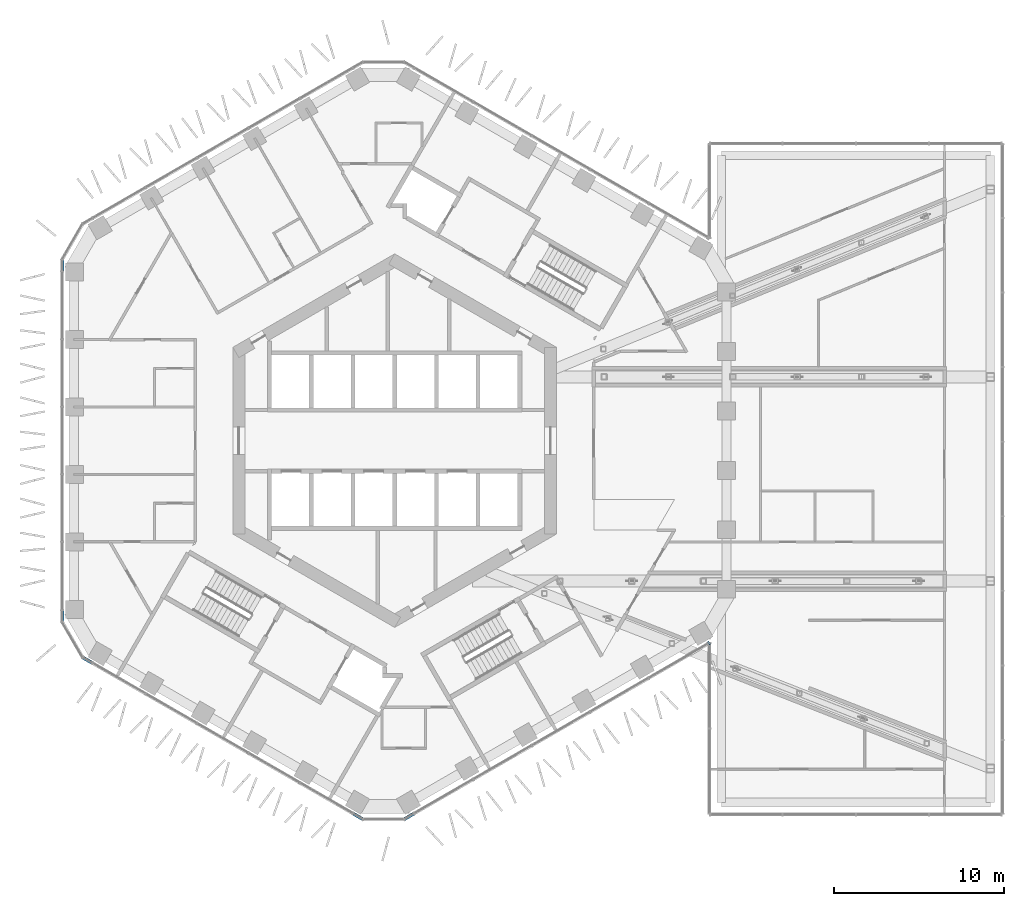
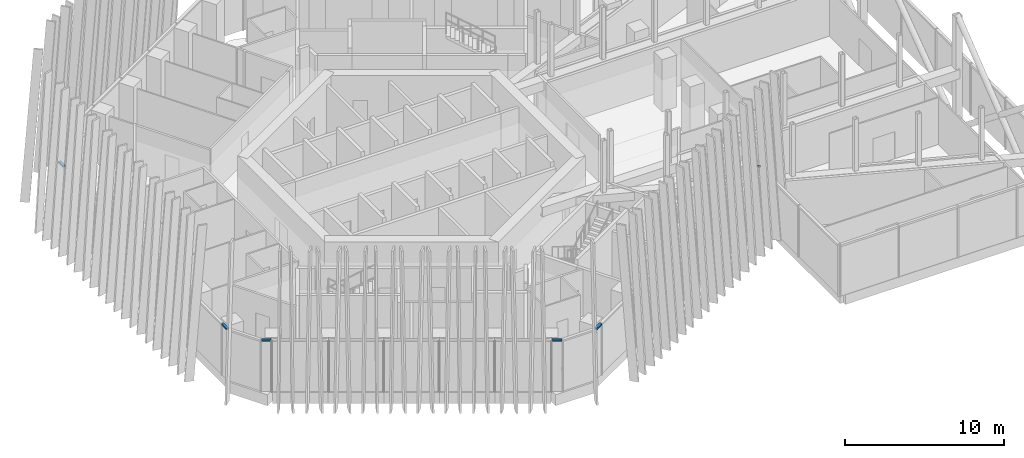
# One storey, part 11 of 28: 6 members, 4 elements without a shape of their own.
"""IFC4 building model written with IfcOpenShell, lengths in metres."""

from ifc_helpers import new_model, si_unit, direction, frame, origin, origin_2d, place, context, subcontext, project, spatial, rectangle, extrude, material, layer, layer_set, material_profile, profile_set, type_object, element, aggregate, save


model = new_model("IFC4")

# Units and contexts
model_context = context("Model", 3, precision=1e-05, world=origin(), true_north=direction((0.0, 1.0)))
body_context = subcontext(model_context, "Body", "Model", "MODEL_VIEW")
ifc_project = project(units=[si_unit("LENGTHUNIT", "METRE"), si_unit("AREAUNIT", "SQUARE_METRE"), si_unit("VOLUMEUNIT", "CUBIC_METRE"), si_unit("PLANEANGLEUNIT", "RADIAN"), si_unit("MASSUNIT", "GRAM", prefix="KILO")], contexts=[model_context])

# Site, building, storey
site_placement = place(None, origin())
site = spatial("IfcSite", under=ifc_project, at=site_placement, CompositionType="ELEMENT")
building_placement = place(site_placement, origin())
building = spatial("IfcBuilding", under=site, at=building_placement, Name="Ayvan Gate Tower", CompositionType="ELEMENT")
storey_placement = place(building_placement, frame((0.0, 0.0, 120.5)))
storey = spatial("IfcBuildingStorey", under=building, at=storey_placement, Name="L32", CompositionType="ELEMENT", Elevation=120.5)

# Curtain wall, member
ifc_material = material(Name="Bronze anodised aluminium", Category="aluminium")
ifc_layer = layer(ifc_material, 0.199951171875)
ifc_layer_set = layer_set([ifc_layer], Name="Bronze anodised aluminium")
curtain_wall_type = type_object("IfcCurtainWallType", Name="Stick curtain wall CW-6", PredefinedType="NOTDEFINED", material=ifc_layer_set)
curtain_wall_1_placement = place(storey_placement, origin())
curtain_wall_1 = element("IfcCurtainWall", 1, at=curtain_wall_1_placement, inside=storey, type_object=curtain_wall_type, Name="Stick curtain wall CW-6 L32", PredefinedType="NOTDEFINED")
ifc_material_profile = material_profile(ifc_material, rectangle(XDim=0.199951171875, YDim=0.1201171875, at=origin_2d()), Name="Stick curtain wall CW-6 transom 200 x 120")
ifc_profile_set = profile_set([ifc_material_profile], Name="Bronze anodised aluminium")
member_type = type_object("IfcMemberType", Name="Stick curtain wall CW-6 transom 200 x 120", PredefinedType="USERDEFINED", material=ifc_profile_set)
member_1_placement = place(storey_placement, frame((-19.53271484375, 10.612060546875, 3.93994140625), z_axis=(0.0, -1.0, 0.0), x_axis=(1.0, 0.0, 0.0)))
member_1 = element("IfcMember", 2, at=member_1_placement, type_object=member_type, Name="CW-6 transom 3", ObjectType="TRANSOM", PredefinedType="USERDEFINED", context=body_context, shape_type="SweptSolid", body=[
    extrude(rectangle(XDim=0.199951171875, YDim=0.1201171875, at=origin_2d()), origin(), (0.0, 0.0, 1.0), 0.625),
])
aggregate(curtain_wall_1, [member_1])

# Curtain wall, members
curtain_wall_2_placement = place(storey_placement, origin())
curtain_wall_2 = element("IfcCurtainWall", 3, at=curtain_wall_2_placement, inside=storey, type_object=curtain_wall_type, Name="Stick curtain wall CW-6 L32", PredefinedType="NOTDEFINED")
member_2_placement = place(storey_placement, frame((-19.53271484375, -9.987060546875, 3.93994140625), z_axis=(0.0, -1.0, 0.0), x_axis=(1.0, 0.0, 0.0)))
member_2 = element("IfcMember", 4, at=member_2_placement, type_object=member_type, Name="CW-6 transom 1", ObjectType="TRANSOM", PredefinedType="USERDEFINED", context=body_context, shape_type="SweptSolid", body=[
    extrude(rectangle(XDim=0.199951171875, YDim=0.1201171875, at=origin_2d()), origin(), (0.0, 0.0, 1.0), 0.625),
])
member_3_placement = place(storey_placement, frame((-18.3037109375, -12.740478515625, 3.93994140625), z_axis=(0.866022959057, -0.500004234368, 0.0), x_axis=(0.500004234368, 0.866022959057, 0.0)))
member_3 = element("IfcMember", 5, at=member_3_placement, type_object=member_type, Name="CW-6 transom 3", ObjectType="TRANSOM", PredefinedType="USERDEFINED", context=body_context, shape_type="SweptSolid", body=[
    extrude(rectangle(XDim=0.199951171875, YDim=0.1201171875, at=origin_2d()), origin(), (0.0, 0.0, 1.0), 0.625),
])
aggregate(curtain_wall_2, [member_2, member_3])

curtain_wall_3_placement = place(storey_placement, origin())
curtain_wall_3 = element("IfcCurtainWall", 6, at=curtain_wall_3_placement, inside=storey, type_object=curtain_wall_type, Name="Stick curtain wall CW-6 L32", PredefinedType="NOTDEFINED")
member_4_placement = place(storey_placement, frame((-2.423095703125, -21.909423828125, 3.93994140625), z_axis=(0.866022959057, -0.500004234368, 0.0), x_axis=(0.500004234368, 0.866022959057, 0.0)))
member_4 = element("IfcMember", 7, at=member_4_placement, type_object=member_type, Name="CW-6 transom 1", ObjectType="TRANSOM", PredefinedType="USERDEFINED", context=body_context, shape_type="SweptSolid", body=[
    extrude(rectangle(XDim=0.199951171875, YDim=0.1201171875, at=origin_2d()), origin(), (0.0, 0.0, 1.0), 0.625),
])
member_5_placement = place(storey_placement, frame((0.576171875, -22.221923828125, 3.93994140625), z_axis=(0.866022959057, 0.500004234368, 0.0), x_axis=(-0.500004234368, 0.866022959057, 0.0)))
member_5 = element("IfcMember", 8, at=member_5_placement, type_object=member_type, Name="CW-6 transom 3", ObjectType="TRANSOM", PredefinedType="USERDEFINED", context=body_context, shape_type="SweptSolid", body=[
    extrude(rectangle(XDim=0.199951171875, YDim=0.1201171875, at=origin_2d()), origin(), (0.0, 0.0, 1.0), 0.625),
])
aggregate(curtain_wall_3, [member_4, member_5])

# Curtain wall, member
curtain_wall_4_placement = place(storey_placement, origin())
curtain_wall_4 = element("IfcCurtainWall", 9, at=curtain_wall_4_placement, inside=storey, type_object=curtain_wall_type, Name="Stick curtain wall CW-6 L32", PredefinedType="NOTDEFINED")
member_6_placement = place(storey_placement, frame((18.415283203125, -11.92236328125, 3.93994140625), z_axis=(0.707106781187, 0.707106781187, 0.0), x_axis=(-0.707106781187, 0.707106781187, 0.0)))
member_6 = element("IfcMember", 10, at=member_6_placement, type_object=member_type, Name="CW-6 transom 1", ObjectType="TRANSOM", PredefinedType="USERDEFINED", context=body_context, shape_type="SweptSolid", body=[
    extrude(rectangle(XDim=0.199951171875, YDim=0.1201171875, at=origin_2d()), origin(), (0.0, 0.0, 1.0), 0.099365234375),
])
aggregate(curtain_wall_4, [member_6])

save(model, "model.ifc")
